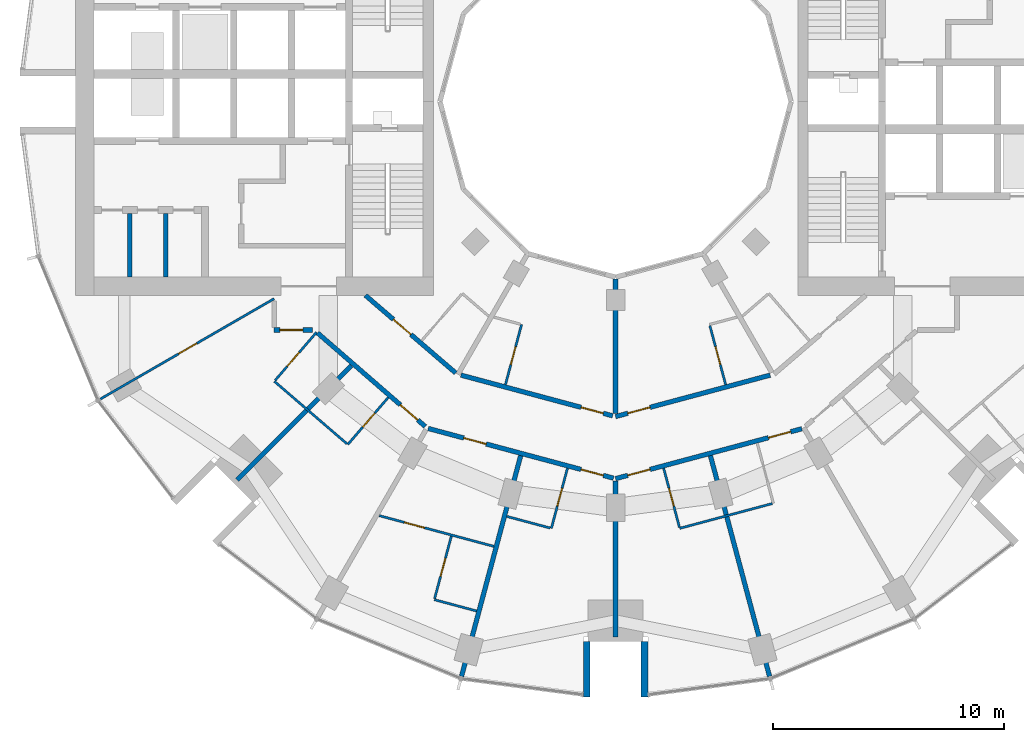
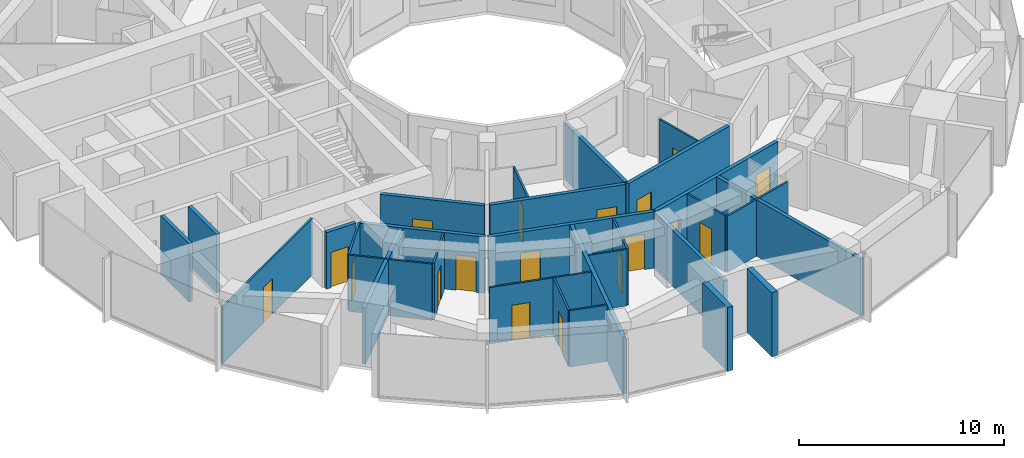
# One storey, part 8 of 15: 29 walls, 18 doors, 18 openings.
"""IFC4 building model written with IfcOpenShell, lengths in metres."""

from ifc_helpers import new_model, si_unit, direction, frame, frame_2d, origin, place, context, subcontext, project, spatial, rectangle, extrude, material, layer, layer_set, type_object, element, fill, save


model = new_model("IFC4")

# Units and contexts
model_context = context("Model", 3, precision=1e-05, world=origin(), true_north=direction((0.0, 1.0)))
body_context = subcontext(model_context, "Body", "Model", "MODEL_VIEW")
ifc_project = project(units=[si_unit("LENGTHUNIT", "METRE"), si_unit("AREAUNIT", "SQUARE_METRE"), si_unit("VOLUMEUNIT", "CUBIC_METRE"), si_unit("PLANEANGLEUNIT", "RADIAN"), si_unit("MASSUNIT", "GRAM", prefix="KILO")], contexts=[model_context])

# Site, building, storey
site_placement = place(None, origin())
site = spatial("IfcSite", under=ifc_project, at=site_placement, CompositionType="ELEMENT")
building_placement = place(site_placement, origin())
building = spatial("IfcBuilding", under=site, at=building_placement, Name="Torre Brocal", CompositionType="ELEMENT")
storey_placement = place(building_placement, frame((0.0, 0.0, 59.199951171875)))
storey = spatial("IfcBuildingStorey", under=building, at=storey_placement, Name="L13", CompositionType="ELEMENT", Elevation=59.199951171875)

# Walls
ifc_material_1 = material(Name="Masonry block", Category="masonry")
ifc_layer_1 = layer(ifc_material_1, 0.199951171875)
ifc_layer_set_1 = layer_set([ifc_layer_1], Name="Masonry block")
wall_type_1 = type_object("IfcWallType", Name="CORE PARTITION 200", PredefinedType="PARTITIONING", material=ifc_layer_set_1)
for number, where, z_axis, x_axis, name in (
    (1, (60.5, 70.14990234375, 0.0), (0.0, 0.0, 1.0), (0.0, -1.0, 0.0), "Wall CP200"),
    (2, (58.949951171875, 70.14990234375, 0.0), (0.0, 0.0, 1.0), (0.0, -1.0, 0.0), "Wall CP200"),
):
    element("IfcWall", number, at=place(storey_placement, frame(where, z_axis=z_axis, x_axis=x_axis)), inside=storey, type_object=wall_type_1, Name=name, PredefinedType="PARTITIONING", context=body_context, shape_type="SweptSolid", body=[
        extrude(rectangle(XDim=2.75, YDim=0.199951171875, at=frame_2d((1.375, 0.0))), origin(), (0.0, 0.0, 1.0), 3.47998046875),
    ])
ifc_material_2 = material(Name="Concrete C80", Category="concrete")
ifc_layer_2 = layer(ifc_material_2, 0.300048828125)
ifc_layer_set_2 = layer_set([ifc_layer_2], Name="Concrete C80")
wall_type_2 = type_object("IfcWallType", Name="NOTCH RETURN WALL 300 C80", PredefinedType="NOTDEFINED", material=ifc_layer_set_2)
for number, where, z_axis, x_axis, name in (
    (3, (78.75, 51.60009765625, 0.0), (0.0, 0.0, 1.0), (0.0, -1.0, 0.0), "NOTCH RETURN WALL"),
    (4, (81.25, 51.60009765625, 0.0), (0.0, 0.0, 1.0), (0.0, -1.0, 0.0), "NOTCH RETURN WALL"),
):
    element("IfcWall", number, at=place(storey_placement, frame(where, z_axis=z_axis, x_axis=x_axis)), inside=storey, type_object=wall_type_2, Name=name, PredefinedType="NOTDEFINED", context=body_context, shape_type="SweptSolid", body=[
        extrude(rectangle(XDim=2.415771484375, YDim=0.300048828125, at=frame_2d((1.2080078125, 0.0))), origin(), (0.0, 0.0, 1.0), 3.800048828125),
    ])

# Wall, opening, door
ifc_material_3 = material(Name="Gypsum board", Category="Gypsum")
ifc_layer_3 = layer(ifc_material_3, 0.10009765625)
ifc_layer_set_3 = layer_set([ifc_layer_3], Name="Gypsum board")
wall_type_3 = type_object("IfcWallType", Name="PARTITION 100", PredefinedType="PARTITIONING", material=ifc_layer_set_3)
wall_1_placement = place(storey_placement, frame((57.65869140625, 62.10107421875, 0.0), z_axis=(0.0, 0.0, 1.0), x_axis=(0.86602264145, 0.500004784474, 0.0)))
wall_1 = element("IfcWall", 5, at=wall_1_placement, inside=storey, type_object=wall_type_3, Name="ROOM PARTITION", PredefinedType="PARTITIONING", context=body_context, shape_type="SweptSolid", body=[
    extrude(rectangle(XDim=8.7080078125, YDim=0.10009765625, at=frame_2d((4.35400390625, 0.0))), origin(), (0.0, 0.0, 1.0), 3.35009765625),
])
opening_1_placement = place(wall_1_placement, frame((3.928955078125, 0.0, 0.0)))
opening_1 = element("IfcOpeningElement", 6, at=opening_1_placement, cuts=wall_1, Name="Opening H03-D38", PredefinedType="OPENING", context=body_context, shape_type="SweptSolid", body=[
    extrude(rectangle(XDim=0.89990234375, YDim=2.10009765625, at=frame_2d((0.449951171875, 1.050048828125))), frame((0.0, 0.06005859375, 0.0), z_axis=(0.0, -1.0, 0.0), x_axis=(1.0, 0.0, 0.0)), (0.0, 0.0, 1.0), 0.1201171875),
])
ifc_material_4 = material(Name="Timber", Category="wood")
door_type_1 = type_object("IfcDoorType", Name="ROOM DOOR 900X2100", OperationType="SINGLE_SWING_LEFT", PredefinedType="DOOR", material=ifc_material_4)
door_1_placement = place(opening_1_placement, origin())
door_1 = element("IfcDoor", 7, at=door_1_placement, inside=storey, type_object=door_type_1, Name="H03-D38", OperationType="SINGLE_SWING_RIGHT", OverallHeight=2.10009765625, OverallWidth=0.89990234375, PredefinedType="DOOR", context=body_context, shape_type="SweptSolid", body=[
    extrude(rectangle(XDim=0.89990234375, YDim=2.10009765625, at=frame_2d((0.449951171875, 1.050048828125))), frame((0.0, 0.02490234375, 0.0), z_axis=(0.0, -1.0, 0.0), x_axis=(1.0, 0.0, 0.0)), (0.0, 0.0, 1.0), 0.050048828125),
])
fill(opening_1, door_1)

wall_2_placement = place(storey_placement, frame((65.24169921875, 62.911865234375, 0.0), z_axis=(0.0, 0.0, 1.0), x_axis=(0.652069888227, 0.758158862553, 0.0)))
wall_2 = element("IfcWall", 8, at=wall_2_placement, inside=storey, type_object=wall_type_3, Name="BATHROOM WALL", PredefinedType="PARTITIONING", context=body_context, shape_type="SweptSolid", body=[
    extrude(rectangle(XDim=2.75, YDim=0.10009765625, at=frame_2d((1.375, 0.0))), origin(), (0.0, 0.0, 1.0), 3.35009765625),
])
opening_2_placement = place(wall_2_placement, frame((0.800048828125, 0.0, 0.0)))
opening_2 = element("IfcOpeningElement", 9, at=opening_2_placement, cuts=wall_2, Name="Opening H03-D37", PredefinedType="OPENING", context=body_context, shape_type="SweptSolid", body=[
    extrude(rectangle(XDim=0.800048828125, YDim=2.10009765625, at=frame_2d((0.39990234375, 1.050048828125))), frame((0.0, 0.06005859375, 0.0), z_axis=(0.0, -1.0, 0.0), x_axis=(1.0, 0.0, 0.0)), (0.0, 0.0, 1.0), 0.1201171875),
])
ifc_material_5 = material(Name="Timber", Category="wood")
door_type_2 = type_object("IfcDoorType", Name="BATHROOM DOOR 800X2100", OperationType="SINGLE_SWING_LEFT", PredefinedType="DOOR", material=ifc_material_5)
door_2_placement = place(opening_2_placement, frame((0.800048828125, 0.0, 0.0), z_axis=(0.0, 0.0, 1.0), x_axis=(-1.0, 0.0, 0.0)))
door_2 = element("IfcDoor", 10, at=door_2_placement, inside=storey, type_object=door_type_2, Name="H03-D37", OperationType="SINGLE_SWING_RIGHT", OverallHeight=2.10009765625, OverallWidth=0.800048828125, PredefinedType="DOOR", context=body_context, shape_type="SweptSolid", body=[
    extrude(rectangle(XDim=0.800048828125, YDim=2.10009765625, at=frame_2d((0.39990234375, 1.050048828125))), frame((0.0, 0.02490234375, 0.0), z_axis=(0.0, -1.0, 0.0), x_axis=(1.0, 0.0, 0.0)), (0.0, 0.0, 1.0), 0.050048828125),
])
fill(opening_2, door_2)

# Wall
wall_3_placement = place(storey_placement, frame((65.209228515625, 62.87451171875, 0.0), z_axis=(0.0, 0.0, 1.0), x_axis=(0.757930378138, -0.652335451969, 0.0)))
element("IfcWall", 11, at=wall_3_placement, inside=storey, type_object=wall_type_3, Name="BATHROOM WALL", PredefinedType="PARTITIONING", context=body_context, shape_type="SweptSolid", body=[
    extrude(rectangle(XDim=4.150146484375, YDim=0.10009765625, at=frame_2d((2.0751953125, 0.0))), origin(), (0.0, 0.0, 1.0), 3.35009765625),
])

# Wall, opening, door
wall_4_placement = place(storey_placement, frame((68.39306640625, 60.135009765625, 0.0), z_axis=(0.0, 0.0, 1.0), x_axis=(0.652061182569, 0.758166349944, 0.0)))
wall_4 = element("IfcWall", 12, at=wall_4_placement, inside=storey, type_object=wall_type_3, Name="BATHROOM WALL", PredefinedType="PARTITIONING", context=body_context, shape_type="SweptSolid", body=[
    extrude(rectangle(XDim=2.689697265625, YDim=0.10009765625, at=frame_2d((1.3447265625, 0.0))), origin(), (0.0, 0.0, 1.0), 3.35009765625),
])
opening_3_placement = place(wall_4_placement, frame((1.0, 0.0, 0.0)))
opening_3 = element("IfcOpeningElement", 13, at=opening_3_placement, cuts=wall_4, Name="Opening H03-D35", PredefinedType="OPENING", context=body_context, shape_type="SweptSolid", body=[
    extrude(rectangle(XDim=0.800048828125, YDim=2.10009765625, at=frame_2d((0.39990234375, 1.050048828125))), frame((0.0, 0.06005859375, 0.0), z_axis=(0.0, -1.0, 0.0), x_axis=(1.0, 0.0, 0.0)), (0.0, 0.0, 1.0), 0.1201171875),
])
door_3_placement = place(opening_3_placement, origin())
door_3 = element("IfcDoor", 14, at=door_3_placement, inside=storey, type_object=door_type_2, Name="H03-D35", OperationType="SINGLE_SWING_RIGHT", OverallHeight=2.10009765625, OverallWidth=0.800048828125, PredefinedType="DOOR", context=body_context, shape_type="SweptSolid", body=[
    extrude(rectangle(XDim=0.800048828125, YDim=2.10009765625, at=frame_2d((0.39990234375, 1.050048828125))), frame((0.0, 0.02490234375, 0.0), z_axis=(0.0, -1.0, 0.0), x_axis=(1.0, 0.0, 0.0)), (0.0, 0.0, 1.0), 0.050048828125),
])
fill(opening_3, door_3)

wall_5_placement = place(storey_placement, frame((69.759521484375, 57.050537109375, 0.0), z_axis=(0.0, 0.0, 1.0), x_axis=(0.965880475586, -0.258988236958, 0.0)))
wall_5 = element("IfcWall", 15, at=wall_5_placement, inside=storey, type_object=wall_type_3, Name="BATHROOM WALL", PredefinedType="PARTITIONING", context=body_context, shape_type="SweptSolid", body=[
    extrude(rectangle(XDim=5.14599609375, YDim=0.10009765625, at=frame_2d((2.572998046875, 0.0))), origin(), (0.0, 0.0, 1.0), 3.35009765625),
])
opening_4_placement = place(wall_5_placement, frame((1.127685546875, 0.0, 0.0)))
opening_4 = element("IfcOpeningElement", 16, at=opening_4_placement, cuts=wall_5, Name="Opening H03-D32", PredefinedType="OPENING", context=body_context, shape_type="SweptSolid", body=[
    extrude(rectangle(XDim=0.89990234375, YDim=2.10009765625, at=frame_2d((0.449951171875, 1.050048828125))), frame((0.0, 0.06005859375, 0.0), z_axis=(0.0, -1.0, 0.0), x_axis=(1.0, 0.0, 0.0)), (0.0, 0.0, 1.0), 0.1201171875),
])
door_4_placement = place(opening_4_placement, origin())
door_4 = element("IfcDoor", 17, at=door_4_placement, inside=storey, type_object=door_type_1, Name="H03-D32", OperationType="SINGLE_SWING_LEFT", OverallHeight=2.10009765625, OverallWidth=0.89990234375, PredefinedType="DOOR", context=body_context, shape_type="SweptSolid", body=[
    extrude(rectangle(XDim=0.89990234375, YDim=2.10009765625, at=frame_2d((0.449951171875, 1.050048828125))), frame((0.0, 0.02490234375, 0.0), z_axis=(0.0, -1.0, 0.0), x_axis=(1.0, 0.0, 0.0)), (0.0, 0.0, 1.0), 0.050048828125),
])
fill(opening_4, door_4)

wall_6_placement = place(storey_placement, frame((72.156982421875, 53.457275390625, 0.0), z_axis=(0.0, 0.0, 1.0), x_axis=(0.258975798317, 0.965883810759, 0.0)))
wall_6 = element("IfcWall", 18, at=wall_6_placement, inside=storey, type_object=wall_type_3, Name="BATHROOM WALL", PredefinedType="PARTITIONING", context=body_context, shape_type="SweptSolid", body=[
    extrude(rectangle(XDim=2.7998046875, YDim=0.10009765625, at=frame_2d((1.39990234375, 0.0))), origin(), (0.0, 0.0, 1.0), 3.35009765625),
])
opening_5_placement = place(wall_6_placement, frame((1.0, 0.0, 0.0)))
opening_5 = element("IfcOpeningElement", 19, at=opening_5_placement, cuts=wall_6, Name="Opening H03-D33", PredefinedType="OPENING", context=body_context, shape_type="SweptSolid", body=[
    extrude(rectangle(XDim=0.800048828125, YDim=2.10009765625, at=frame_2d((0.39990234375, 1.050048828125))), frame((0.0, 0.06005859375, 0.0), z_axis=(0.0, -1.0, 0.0), x_axis=(1.0, 0.0, 0.0)), (0.0, 0.0, 1.0), 0.1201171875),
])
door_5_placement = place(opening_5_placement, frame((0.800048828125, 0.0, 0.0), z_axis=(0.0, 0.0, 1.0), x_axis=(-1.0, 0.0, 0.0)))
door_5 = element("IfcDoor", 20, at=door_5_placement, inside=storey, type_object=door_type_2, Name="H03-D33", OperationType="SINGLE_SWING_LEFT", OverallHeight=2.10009765625, OverallWidth=0.800048828125, PredefinedType="DOOR", context=body_context, shape_type="SweptSolid", body=[
    extrude(rectangle(XDim=0.800048828125, YDim=2.10009765625, at=frame_2d((0.39990234375, 1.050048828125))), frame((0.0, 0.02490234375, 0.0), z_axis=(0.0, -1.0, 0.0), x_axis=(1.0, 0.0, 0.0)), (0.0, 0.0, 1.0), 0.050048828125),
])
fill(opening_5, door_5)

# Walls
wall_7_placement = place(storey_placement, frame((72.14404296875, 53.408935546875, 0.0), z_axis=(0.0, 0.0, 1.0), x_axis=(0.965907902023, -0.258885930111, 0.0)))
element("IfcWall", 21, at=wall_7_placement, inside=storey, type_object=wall_type_3, Name="BATHROOM WALL", PredefinedType="PARTITIONING", context=body_context, shape_type="SweptSolid", body=[
    extrude(rectangle(XDim=1.900146484375, YDim=0.10009765625, at=frame_2d((0.9501953125, 0.0))), origin(), (0.0, 0.0, 1.0), 3.35009765625),
])
wall_8_placement = place(storey_placement, frame((75.285888671875, 57.01806640625, 0.0), z_axis=(0.0, 0.0, 1.0), x_axis=(0.966003902934, -0.258527483095, 0.0)))
element("IfcWall", 22, at=wall_8_placement, inside=storey, type_object=wall_type_3, Name="BATHROOM WALL", PredefinedType="PARTITIONING", context=body_context, shape_type="SweptSolid", body=[
    extrude(rectangle(XDim=1.9501953125, YDim=0.10009765625, at=frame_2d((0.97509765625, 0.0))), origin(), (0.0, 0.0, 1.0), 3.35009765625),
])

# Wall, opening, door
wall_9_placement = place(storey_placement, frame((75.226806640625, 62.728759765625, 0.0), z_axis=(0.0, 0.0, 1.0), x_axis=(0.258945475746, 0.965891940432, 0.0)))
wall_9 = element("IfcWall", 23, at=wall_9_placement, inside=storey, type_object=wall_type_3, Name="BATHROOM WALL", PredefinedType="PARTITIONING", context=body_context, shape_type="SweptSolid", body=[
    extrude(rectangle(XDim=2.7001953125, YDim=0.10009765625, at=frame_2d((1.35009765625, 0.0))), origin(), (0.0, 0.0, 1.0), 3.35009765625),
])
opening_6_placement = place(wall_9_placement, frame((0.900146484375, 0.0, 0.0)))
opening_6 = element("IfcOpeningElement", 24, at=opening_6_placement, cuts=wall_9, Name="Opening H03-D44", PredefinedType="OPENING", context=body_context, shape_type="SweptSolid", body=[
    extrude(rectangle(XDim=0.800048828125, YDim=2.10009765625, at=frame_2d((0.39990234375, 1.050048828125))), frame((0.0, 0.06005859375, 0.0), z_axis=(0.0, -1.0, 0.0), x_axis=(1.0, 0.0, 0.0)), (0.0, 0.0, 1.0), 0.1201171875),
])
door_6_placement = place(opening_6_placement, origin())
door_6 = element("IfcDoor", 25, at=door_6_placement, inside=storey, type_object=door_type_2, Name="H03-D44", OperationType="SINGLE_SWING_LEFT", OverallHeight=2.10009765625, OverallWidth=0.800048828125, PredefinedType="DOOR", context=body_context, shape_type="SweptSolid", body=[
    extrude(rectangle(XDim=0.800048828125, YDim=2.10009765625, at=frame_2d((0.39990234375, 1.050048828125))), frame((0.0, 0.02490234375, 0.0), z_axis=(0.0, -1.0, 0.0), x_axis=(1.0, 0.0, 0.0)), (0.0, 0.0, 1.0), 0.050048828125),
])
fill(opening_6, door_6)

wall_10_placement = place(storey_placement, frame((77.218017578125, 56.5009765625, 0.0), z_axis=(0.0, 0.0, 1.0), x_axis=(0.258591408257, 0.965986792651, 0.0)))
wall_10 = element("IfcWall", 26, at=wall_10_placement, inside=storey, type_object=wall_type_3, Name="BATHROOM WALL", PredefinedType="PARTITIONING", context=body_context, shape_type="SweptSolid", body=[
    extrude(rectangle(XDim=2.69921875, YDim=0.10009765625, at=frame_2d((1.349609375, 0.0))), origin(), (0.0, 0.0, 1.0), 3.35009765625),
])
opening_7_placement = place(wall_10_placement, frame((0.99951171875, 0.0, 0.0)))
opening_7 = element("IfcOpeningElement", 27, at=opening_7_placement, cuts=wall_10, Name="Opening H03-D30", PredefinedType="OPENING", context=body_context, shape_type="SweptSolid", body=[
    extrude(rectangle(XDim=0.800048828125, YDim=2.10009765625, at=frame_2d((0.39990234375, 1.050048828125))), frame((0.0, 0.06005859375, 0.0), z_axis=(0.0, -1.0, 0.0), x_axis=(1.0, 0.0, 0.0)), (0.0, 0.0, 1.0), 0.1201171875),
])
door_7_placement = place(opening_7_placement, origin())
door_7 = element("IfcDoor", 28, at=door_7_placement, inside=storey, type_object=door_type_2, Name="H03-D30", OperationType="SINGLE_SWING_RIGHT", OverallHeight=2.10009765625, OverallWidth=0.800048828125, PredefinedType="DOOR", context=body_context, shape_type="SweptSolid", body=[
    extrude(rectangle(XDim=0.800048828125, YDim=2.10009765625, at=frame_2d((0.39990234375, 1.050048828125))), frame((0.0, 0.02490234375, 0.0), z_axis=(0.0, -1.0, 0.0), x_axis=(1.0, 0.0, 0.0)), (0.0, 0.0, 1.0), 0.050048828125),
])
fill(opening_7, door_7)

wall_11_placement = place(storey_placement, frame((82.083984375, 59.1083984375, 0.0), z_axis=(0.0, 0.0, 1.0), x_axis=(0.258591746437, -0.965986702121, 0.0)))
wall_11 = element("IfcWall", 29, at=wall_11_placement, inside=storey, type_object=wall_type_3, Name="BATHROOM WALL", PredefinedType="PARTITIONING", context=body_context, shape_type="SweptSolid", body=[
    extrude(rectangle(XDim=2.649169921875, YDim=0.10009765625, at=frame_2d((1.32470703125, 0.0))), origin(), (0.0, 0.0, 1.0), 3.35009765625),
])
opening_8_placement = place(wall_11_placement, frame((0.899658203125, 0.0, 0.0)))
opening_8 = element("IfcOpeningElement", 30, at=opening_8_placement, cuts=wall_11, Name="Opening H03-D28", PredefinedType="OPENING", context=body_context, shape_type="SweptSolid", body=[
    extrude(rectangle(XDim=0.800048828125, YDim=2.10009765625, at=frame_2d((0.39990234375, 1.050048828125))), frame((0.0, 0.06005859375, 0.0), z_axis=(0.0, -1.0, 0.0), x_axis=(1.0, 0.0, 0.0)), (0.0, 0.0, 1.0), 0.1201171875),
])
door_8_placement = place(opening_8_placement, origin())
door_8 = element("IfcDoor", 31, at=door_8_placement, inside=storey, type_object=door_type_2, Name="H03-D28", OperationType="SINGLE_SWING_LEFT", OverallHeight=2.10009765625, OverallWidth=0.800048828125, PredefinedType="DOOR", context=body_context, shape_type="SweptSolid", body=[
    extrude(rectangle(XDim=0.800048828125, YDim=2.10009765625, at=frame_2d((0.39990234375, 1.050048828125))), frame((0.0, 0.02490234375, 0.0), z_axis=(0.0, -1.0, 0.0), x_axis=(1.0, 0.0, 0.0)), (0.0, 0.0, 1.0), 0.050048828125),
])
fill(opening_8, door_8)

# Wall
wall_12_placement = place(storey_placement, frame((82.781982421875, 56.5009765625, 0.0), z_axis=(0.0, 0.0, 1.0), x_axis=(0.965999228418, 0.258544949083, 0.0)))
element("IfcWall", 32, at=wall_12_placement, inside=storey, type_object=wall_type_3, Name="BATHROOM WALL", PredefinedType="PARTITIONING", context=body_context, shape_type="SweptSolid", body=[
    extrude(rectangle(XDim=4.150146484375, YDim=0.10009765625, at=frame_2d((2.0751953125, 0.0))), origin(), (0.0, 0.0, 1.0), 3.35009765625),
])

# Wall, opening, door
wall_13_placement = place(storey_placement, frame((84.0869140625, 65.288818359375, 0.0), z_axis=(0.0, 0.0, 1.0), x_axis=(0.258929459649, -0.965896234037, 0.0)))
wall_13 = element("IfcWall", 33, at=wall_13_placement, inside=storey, type_object=wall_type_3, Name="BATHROOM WALL", PredefinedType="PARTITIONING", context=body_context, shape_type="SweptSolid", body=[
    extrude(rectangle(XDim=2.650390625, YDim=0.10009765625, at=frame_2d((1.3251953125, 0.0))), origin(), (0.0, 0.0, 1.0), 3.35009765625),
])
opening_9_placement = place(wall_13_placement, frame((0.9501953125, 0.0, 0.0)))
opening_9 = element("IfcOpeningElement", 34, at=opening_9_placement, cuts=wall_13, Name="Opening H03-D42", PredefinedType="OPENING", context=body_context, shape_type="SweptSolid", body=[
    extrude(rectangle(XDim=0.800048828125, YDim=2.10009765625, at=frame_2d((0.39990234375, 1.050048828125))), frame((0.0, 0.06005859375, 0.0), z_axis=(0.0, -1.0, 0.0), x_axis=(1.0, 0.0, 0.0)), (0.0, 0.0, 1.0), 0.1201171875),
])
door_9_placement = place(opening_9_placement, origin())
door_9 = element("IfcDoor", 35, at=door_9_placement, inside=storey, type_object=door_type_2, Name="H03-D42", OperationType="SINGLE_SWING_RIGHT", OverallHeight=2.10009765625, OverallWidth=0.800048828125, PredefinedType="DOOR", context=body_context, shape_type="SweptSolid", body=[
    extrude(rectangle(XDim=0.800048828125, YDim=2.10009765625, at=frame_2d((0.39990234375, 1.050048828125))), frame((0.0, 0.02490234375, 0.0), z_axis=(0.0, -1.0, 0.0), x_axis=(1.0, 0.0, 0.0)), (0.0, 0.0, 1.0), 0.050048828125),
])
fill(opening_9, door_9)

# Wall
ifc_material_6 = material(Name="Gypsum board", Category="Gypsum")
ifc_layer_4 = layer(ifc_material_6, 0.199951171875)
ifc_layer_set_4 = layer_set([ifc_layer_4], Name="Gypsum board")
wall_type_4 = type_object("IfcWallType", Name="PARTITION 200 EI60", PredefinedType="PARTITIONING", material=ifc_layer_set_4)
wall_14_placement = place(storey_placement, frame((63.595703125, 58.595703125, 0.0), z_axis=(0.0, 0.0, 1.0), x_axis=(0.707106781187, 0.707106781187, 0.0)))
element("IfcWall", 36, at=wall_14_placement, inside=storey, type_object=wall_type_4, Name="BATHROOM WALL", PredefinedType="PARTITIONING", context=body_context, shape_type="SweptSolid", body=[
    extrude(rectangle(XDim=7.00537109375, YDim=0.199951171875, at=frame_2d((3.502685546875, 0.0))), origin(), (0.0, 0.0, 1.0), 3.35009765625),
])

# Wall, opening, door
wall_15_placement = place(storey_placement, frame((65.199951171875, 65.10009765625, 0.0), z_axis=(0.0, 0.0, 1.0), x_axis=(1.0, 0.0, 0.0)))
wall_15 = element("IfcWall", 37, at=wall_15_placement, inside=storey, type_object=wall_type_4, Name="GUESTROOM CORRIDOR WALL", PredefinedType="PARTITIONING", context=body_context, shape_type="SweptSolid", body=[
    extrude(rectangle(XDim=1.6650390625, YDim=0.199951171875, at=frame_2d((0.83251953125, 0.0))), origin(), (0.0, 0.0, 1.0), 3.35009765625),
])
opening_10_placement = place(wall_15_placement, frame((0.25, 0.0, 0.0)))
opening_10 = element("IfcOpeningElement", 38, at=opening_10_placement, cuts=wall_15, Name="Opening H03-D36", PredefinedType="OPENING", context=body_context, shape_type="SweptSolid", body=[
    extrude(rectangle(XDim=1.0, YDim=2.10009765625, at=frame_2d((0.5, 1.050048828125))), frame((0.0, 0.10986328125, 0.0), z_axis=(0.0, -1.0, 0.0), x_axis=(1.0, 0.0, 0.0)), (0.0, 0.0, 1.0), 0.219970703125),
])
ifc_material_7 = material(Name="Timber", Category="wood")
door_type_3 = type_object("IfcDoorType", Name="FLAT ENTRY DOOR FD30S 1000X2100", OperationType="SINGLE_SWING_RIGHT", PredefinedType="DOOR", material=ifc_material_7)
door_10_placement = place(opening_10_placement, frame((1.0, 0.0, 0.0), z_axis=(0.0, 0.0, 1.0), x_axis=(-1.0, 0.0, 0.0)))
door_10 = element("IfcDoor", 39, at=door_10_placement, inside=storey, type_object=door_type_3, Name="H03-D36", OperationType="SINGLE_SWING_RIGHT", OverallHeight=2.10009765625, OverallWidth=1.0, PredefinedType="DOOR", context=body_context, shape_type="SweptSolid", body=[
    extrude(rectangle(XDim=1.0, YDim=2.10009765625, at=frame_2d((0.5, 1.050048828125))), frame((0.0, 0.02490234375, 0.0), z_axis=(0.0, -1.0, 0.0), x_axis=(1.0, 0.0, 0.0)), (0.0, 0.0, 1.0), 0.050048828125),
])
fill(opening_10, door_10)

wall_16_placement = place(storey_placement, frame((67.081298828125, 64.97119140625, 0.0), z_axis=(0.0, 0.0, 1.0), x_axis=(0.755031061605, -0.65568902386, 0.0)))
wall_16 = element("IfcWall", 40, at=wall_16_placement, inside=storey, type_object=wall_type_4, Name="FLAT ENTRANCE WALL", PredefinedType="PARTITIONING", context=body_context, shape_type="SweptSolid", body=[
    extrude(rectangle(XDim=6.185791015625, YDim=0.199951171875, at=frame_2d((3.0927734375, 0.0))), origin(), (0.0, 0.0, 1.0), 3.35009765625),
])
opening_11_placement = place(wall_16_placement, frame((4.755126953125, 0.0, 0.0)))
opening_11 = element("IfcOpeningElement", 41, at=opening_11_placement, cuts=wall_16, Name="Opening H03-D34", PredefinedType="OPENING", context=body_context, shape_type="SweptSolid", body=[
    extrude(rectangle(XDim=1.0, YDim=2.10009765625, at=frame_2d((0.5, 1.050048828125))), frame((0.0, 0.10986328125, 0.0), z_axis=(0.0, -1.0, 0.0), x_axis=(1.0, 0.0, 0.0)), (0.0, 0.0, 1.0), 0.219970703125),
])
door_11_placement = place(opening_11_placement, frame((1.0, 0.0, 0.0), z_axis=(0.0, 0.0, 1.0), x_axis=(-1.0, 0.0, 0.0)))
door_11 = element("IfcDoor", 42, at=door_11_placement, inside=storey, type_object=door_type_3, Name="H03-D34", OperationType="SINGLE_SWING_LEFT", OverallHeight=2.10009765625, OverallWidth=1.0, PredefinedType="DOOR", context=body_context, shape_type="SweptSolid", body=[
    extrude(rectangle(XDim=1.0, YDim=2.10009765625, at=frame_2d((0.5, 1.050048828125))), frame((0.0, 0.02490234375, 0.0), z_axis=(0.0, -1.0, 0.0), x_axis=(1.0, 0.0, 0.0)), (0.0, 0.0, 1.0), 0.050048828125),
])
fill(opening_11, door_11)

wall_17_placement = place(storey_placement, frame((69.158203125, 66.60009765625, 0.0), z_axis=(0.0, 0.0, 1.0), x_axis=(0.757976058094, -0.652282373943, 0.0)))
wall_17 = element("IfcWall", 43, at=wall_17_placement, inside=storey, type_object=wall_type_4, Name="GUESTROOM CORRIDOR WALL", PredefinedType="PARTITIONING", context=body_context, shape_type="SweptSolid", body=[
    extrude(rectangle(XDim=5.160400390625, YDim=0.199951171875, at=frame_2d((2.580078125, 0.0))), origin(), (0.0, 0.0, 1.0), 3.35009765625),
])
opening_12_placement = place(wall_17_placement, frame((1.60009765625, 0.0, 0.0)))
opening_12 = element("IfcOpeningElement", 44, at=opening_12_placement, cuts=wall_17, Name="Opening H03-D45", PredefinedType="OPENING", context=body_context, shape_type="SweptSolid", body=[
    extrude(rectangle(XDim=1.0, YDim=2.10009765625, at=frame_2d((0.5, 1.050048828125))), frame((0.0, 0.10986328125, 0.0), z_axis=(0.0, -1.0, 0.0), x_axis=(1.0, 0.0, 0.0)), (0.0, 0.0, 1.0), 0.219970703125),
])
door_12_placement = place(opening_12_placement, origin())
door_12 = element("IfcDoor", 45, at=door_12_placement, inside=storey, type_object=door_type_3, Name="H03-D45", OperationType="SINGLE_SWING_RIGHT", OverallHeight=2.10009765625, OverallWidth=1.0, PredefinedType="DOOR", context=body_context, shape_type="SweptSolid", body=[
    extrude(rectangle(XDim=1.0, YDim=2.10009765625, at=frame_2d((0.5, 1.050048828125))), frame((0.0, 0.02490234375, 0.0), z_axis=(0.0, -1.0, 0.0), x_axis=(1.0, 0.0, 0.0)), (0.0, 0.0, 1.0), 0.050048828125),
])
fill(opening_12, door_12)

# Wall, openings, doors
wall_18_placement = place(storey_placement, frame((71.877197265625, 60.831298828125, 0.0), z_axis=(0.0, 0.0, 1.0), x_axis=(0.965852509869, -0.259092510851, 0.0)))
wall_18 = element("IfcWall", 46, at=wall_18_placement, inside=storey, type_object=wall_type_4, Name="FLAT ENTRANCE WALL", PredefinedType="PARTITIONING", context=body_context, shape_type="SweptSolid", body=[
    extrude(rectangle(XDim=8.319580078125, YDim=0.199951171875, at=frame_2d((4.15966796875, 0.0))), origin(), (0.0, 0.0, 1.0), 3.35009765625),
])
opening_13_placement = place(wall_18_placement, frame((6.859619140625, 0.0, 0.0)))
opening_13 = element("IfcOpeningElement", 47, at=opening_13_placement, cuts=wall_18, Name="Opening H03-D29", PredefinedType="OPENING", context=body_context, shape_type="SweptSolid", body=[
    extrude(rectangle(XDim=1.0, YDim=2.10009765625, at=frame_2d((0.5, 1.050048828125))), frame((0.0, 0.10986328125, 0.0), z_axis=(0.0, -1.0, 0.0), x_axis=(1.0, 0.0, 0.0)), (0.0, 0.0, 1.0), 0.219970703125),
])
opening_14_placement = place(wall_18_placement, frame((1.599609375, 0.0, 0.0)))
opening_14 = element("IfcOpeningElement", 48, at=opening_14_placement, cuts=wall_18, Name="Opening H03-D31", PredefinedType="OPENING", context=body_context, shape_type="SweptSolid", body=[
    extrude(rectangle(XDim=1.0, YDim=2.10009765625, at=frame_2d((0.5, 1.050048828125))), frame((0.0, 0.10986328125, 0.0), z_axis=(0.0, -1.0, 0.0), x_axis=(1.0, 0.0, 0.0)), (0.0, 0.0, 1.0), 0.219970703125),
])
door_13_placement = place(opening_13_placement, frame((1.0, 0.0, 0.0), z_axis=(0.0, 0.0, 1.0), x_axis=(-1.0, 0.0, 0.0)))
door_13 = element("IfcDoor", 49, at=door_13_placement, inside=storey, type_object=door_type_3, Name="H03-D29", OperationType="SINGLE_SWING_RIGHT", OverallHeight=2.10009765625, OverallWidth=1.0, PredefinedType="DOOR", context=body_context, shape_type="SweptSolid", body=[
    extrude(rectangle(XDim=1.0, YDim=2.10009765625, at=frame_2d((0.5, 1.050048828125))), frame((0.0, 0.02490234375, 0.0), z_axis=(0.0, -1.0, 0.0), x_axis=(1.0, 0.0, 0.0)), (0.0, 0.0, 1.0), 0.050048828125),
])
fill(opening_13, door_13)
door_14_placement = place(opening_14_placement, frame((1.0, 0.0, 0.0), z_axis=(0.0, 0.0, 1.0), x_axis=(-1.0, 0.0, 0.0)))
door_14 = element("IfcDoor", 50, at=door_14_placement, inside=storey, type_object=door_type_3, Name="H03-D31", OperationType="SINGLE_SWING_LEFT", OverallHeight=2.10009765625, OverallWidth=1.0, PredefinedType="DOOR", context=body_context, shape_type="SweptSolid", body=[
    extrude(rectangle(XDim=1.0, YDim=2.10009765625, at=frame_2d((0.5, 1.050048828125))), frame((0.0, 0.02490234375, 0.0), z_axis=(0.0, -1.0, 0.0), x_axis=(1.0, 0.0, 0.0)), (0.0, 0.0, 1.0), 0.050048828125),
])
fill(opening_14, door_14)

# Wall, opening, door
wall_19_placement = place(storey_placement, frame((73.296875, 63.142578125, 0.0), z_axis=(0.0, 0.0, 1.0), x_axis=(0.965859030528, -0.25906820173, 0.0)))
wall_19 = element("IfcWall", 51, at=wall_19_placement, inside=storey, type_object=wall_type_4, Name="GUESTROOM CORRIDOR WALL", PredefinedType="PARTITIONING", context=body_context, shape_type="SweptSolid", body=[
    extrude(rectangle(XDim=6.8095703125, YDim=0.199951171875, at=frame_2d((3.40478515625, 0.0))), origin(), (0.0, 0.0, 1.0), 3.35009765625),
])
opening_15_placement = place(wall_19_placement, frame((5.3896484375, 0.0, 0.0)))
opening_15 = element("IfcOpeningElement", 52, at=opening_15_placement, cuts=wall_19, Name="Opening H03-D43", PredefinedType="OPENING", context=body_context, shape_type="SweptSolid", body=[
    extrude(rectangle(XDim=1.0, YDim=2.10009765625, at=frame_2d((0.5, 1.050048828125))), frame((0.0, 0.10986328125, 0.0), z_axis=(0.0, -1.0, 0.0), x_axis=(1.0, 0.0, 0.0)), (0.0, 0.0, 1.0), 0.219970703125),
])
door_15_placement = place(opening_15_placement, origin())
door_15 = element("IfcDoor", 53, at=door_15_placement, inside=storey, type_object=door_type_3, Name="H03-D43", OperationType="SINGLE_SWING_RIGHT", OverallHeight=2.10009765625, OverallWidth=1.0, PredefinedType="DOOR", context=body_context, shape_type="SweptSolid", body=[
    extrude(rectangle(XDim=1.0, YDim=2.10009765625, at=frame_2d((0.5, 1.050048828125))), frame((0.0, 0.02490234375, 0.0), z_axis=(0.0, -1.0, 0.0), x_axis=(1.0, 0.0, 0.0)), (0.0, 0.0, 1.0), 0.050048828125),
])
fill(opening_15, door_15)

# Walls
wall_20_placement = place(storey_placement, frame((73.322021484375, 50.0810546875, 0.0), z_axis=(0.0, 0.0, 1.0), x_axis=(0.25896431718, 0.965886889044, 0.0)))
element("IfcWall", 54, at=wall_20_placement, inside=storey, type_object=wall_type_4, Name="BATHROOM WALL", PredefinedType="PARTITIONING", context=body_context, shape_type="SweptSolid", body=[
    extrude(rectangle(XDim=9.909423828125, YDim=0.199951171875, at=frame_2d((4.95458984375, 0.0))), origin(), (0.0, 0.0, 1.0), 3.35009765625),
])
wall_21_placement = place(storey_placement, frame((80.0, 51.800048828125, 0.0), z_axis=(0.0, 0.0, 1.0), x_axis=(0.0, 1.0, 0.0)))
element("IfcWall", 55, at=wall_21_placement, inside=storey, type_object=wall_type_4, Name="PARTY PARTITION", PredefinedType="PARTITIONING", context=body_context, shape_type="SweptSolid", body=[
    extrude(rectangle(XDim=6.763916015625, YDim=0.199951171875, at=frame_2d((3.3818359375, 0.0))), origin(), (0.0, 0.0, 1.0), 3.35009765625),
])

# Wall, openings, doors
wall_22_placement = place(storey_placement, frame((79.999755859375, 58.65478515625, 0.0), z_axis=(0.0, 0.0, 1.0), x_axis=(0.965974635626, 0.258636817424, 0.0)))
wall_22 = element("IfcWall", 56, at=wall_22_placement, inside=storey, type_object=wall_type_4, Name="GUESTROOM CORRIDOR WALL", PredefinedType="PARTITIONING", context=body_context, shape_type="SweptSolid", body=[
    extrude(rectangle(XDim=8.359619140625, YDim=0.199951171875, at=frame_2d((4.1796875, 0.0))), origin(), (0.0, 0.0, 1.0), 3.35009765625),
])
opening_16_placement = place(wall_22_placement, frame((6.859619140625, 0.0, 0.0)))
opening_16 = element("IfcOpeningElement", 57, at=opening_16_placement, cuts=wall_22, Name="Opening H03-D25", PredefinedType="OPENING", context=body_context, shape_type="SweptSolid", body=[
    extrude(rectangle(XDim=1.0, YDim=2.10009765625, at=frame_2d((0.5, 1.050048828125))), frame((0.0, 0.10986328125, 0.0), z_axis=(0.0, -1.0, 0.0), x_axis=(1.0, 0.0, 0.0)), (0.0, 0.0, 1.0), 0.219970703125),
])
opening_17_placement = place(wall_22_placement, frame((0.550048828125, 0.0, 0.0)))
opening_17 = element("IfcOpeningElement", 58, at=opening_17_placement, cuts=wall_22, Name="Opening H03-D27", PredefinedType="OPENING", context=body_context, shape_type="SweptSolid", body=[
    extrude(rectangle(XDim=1.0, YDim=2.10009765625, at=frame_2d((0.5, 1.050048828125))), frame((0.0, 0.10986328125, 0.0), z_axis=(0.0, -1.0, 0.0), x_axis=(1.0, 0.0, 0.0)), (0.0, 0.0, 1.0), 0.219970703125),
])
door_16_placement = place(opening_16_placement, frame((1.0, 0.0, 0.0), z_axis=(0.0, 0.0, 1.0), x_axis=(-1.0, 0.0, 0.0)))
door_16 = element("IfcDoor", 59, at=door_16_placement, inside=storey, type_object=door_type_3, Name="H03-D25", OperationType="SINGLE_SWING_RIGHT", OverallHeight=2.10009765625, OverallWidth=1.0, PredefinedType="DOOR", context=body_context, shape_type="SweptSolid", body=[
    extrude(rectangle(XDim=1.0, YDim=2.10009765625, at=frame_2d((0.5, 1.050048828125))), frame((0.0, 0.02490234375, 0.0), z_axis=(0.0, -1.0, 0.0), x_axis=(1.0, 0.0, 0.0)), (0.0, 0.0, 1.0), 0.050048828125),
])
fill(opening_16, door_16)
door_17_placement = place(opening_17_placement, frame((1.0, 0.0, 0.0), z_axis=(0.0, 0.0, 1.0), x_axis=(-1.0, 0.0, 0.0)))
door_17 = element("IfcDoor", 60, at=door_17_placement, inside=storey, type_object=door_type_3, Name="H03-D27", OperationType="SINGLE_SWING_LEFT", OverallHeight=2.10009765625, OverallWidth=1.0, PredefinedType="DOOR", context=body_context, shape_type="SweptSolid", body=[
    extrude(rectangle(XDim=1.0, YDim=2.10009765625, at=frame_2d((0.5, 1.050048828125))), frame((0.0, 0.02490234375, 0.0), z_axis=(0.0, -1.0, 0.0), x_axis=(1.0, 0.0, 0.0)), (0.0, 0.0, 1.0), 0.050048828125),
])
fill(opening_17, door_17)

# Wall
wall_23_placement = place(storey_placement, frame((80.0, 61.47607421875, 0.0), z_axis=(0.0, 0.0, 1.0), x_axis=(0.0, 1.0, 0.0)))
element("IfcWall", 61, at=wall_23_placement, inside=storey, type_object=wall_type_4, Name="PARTY PARTITION", PredefinedType="PARTITIONING", context=body_context, shape_type="SweptSolid", body=[
    extrude(rectangle(XDim=5.824951171875, YDim=0.199951171875, at=frame_2d((2.91259765625, 0.0))), origin(), (0.0, 0.0, 1.0), 3.35009765625),
])

# Wall, opening, door
wall_24_placement = place(storey_placement, frame((80.0, 61.345947265625, 0.0), z_axis=(0.0, 0.0, 1.0), x_axis=(0.965924181808, 0.258825182312, 0.0)))
wall_24 = element("IfcWall", 62, at=wall_24_placement, inside=storey, type_object=wall_type_4, Name="GUESTROOM CORRIDOR WALL", PredefinedType="PARTITIONING", context=body_context, shape_type="SweptSolid", body=[
    extrude(rectangle(XDim=6.939697265625, YDim=0.199951171875, at=frame_2d((3.4697265625, 0.0))), origin(), (0.0, 0.0, 1.0), 3.35009765625),
])
opening_18_placement = place(wall_24_placement, frame((0.550048828125, 0.0, 0.0)))
opening_18 = element("IfcOpeningElement", 63, at=opening_18_placement, cuts=wall_24, Name="Opening H03-D41", PredefinedType="OPENING", context=body_context, shape_type="SweptSolid", body=[
    extrude(rectangle(XDim=1.0, YDim=2.10009765625, at=frame_2d((0.5, 1.050048828125))), frame((0.0, 0.10986328125, 0.0), z_axis=(0.0, -1.0, 0.0), x_axis=(1.0, 0.0, 0.0)), (0.0, 0.0, 1.0), 0.219970703125),
])
door_18_placement = place(opening_18_placement, origin())
door_18 = element("IfcDoor", 64, at=door_18_placement, inside=storey, type_object=door_type_3, Name="H03-D41", OperationType="SINGLE_SWING_LEFT", OverallHeight=2.10009765625, OverallWidth=1.0, PredefinedType="DOOR", context=body_context, shape_type="SweptSolid", body=[
    extrude(rectangle(XDim=1.0, YDim=2.10009765625, at=frame_2d((0.5, 1.050048828125))), frame((0.0, 0.02490234375, 0.0), z_axis=(0.0, -1.0, 0.0), x_axis=(1.0, 0.0, 0.0)), (0.0, 0.0, 1.0), 0.050048828125),
])
fill(opening_18, door_18)

# Wall
wall_25_placement = place(storey_placement, frame((84.112060546875, 59.65234375, 0.0), z_axis=(0.0, 0.0, 1.0), x_axis=(0.258843225553, -0.965919346832, 0.0)))
element("IfcWall", 65, at=wall_25_placement, inside=storey, type_object=wall_type_4, Name="BATHROOM WALL", PredefinedType="PARTITIONING", context=body_context, shape_type="SweptSolid", body=[
    extrude(rectangle(XDim=9.9091796875, YDim=0.199951171875, at=frame_2d((4.95458984375, 0.0))), origin(), (0.0, 0.0, 1.0), 3.35009765625),
])

save(model, "model.ifc")
